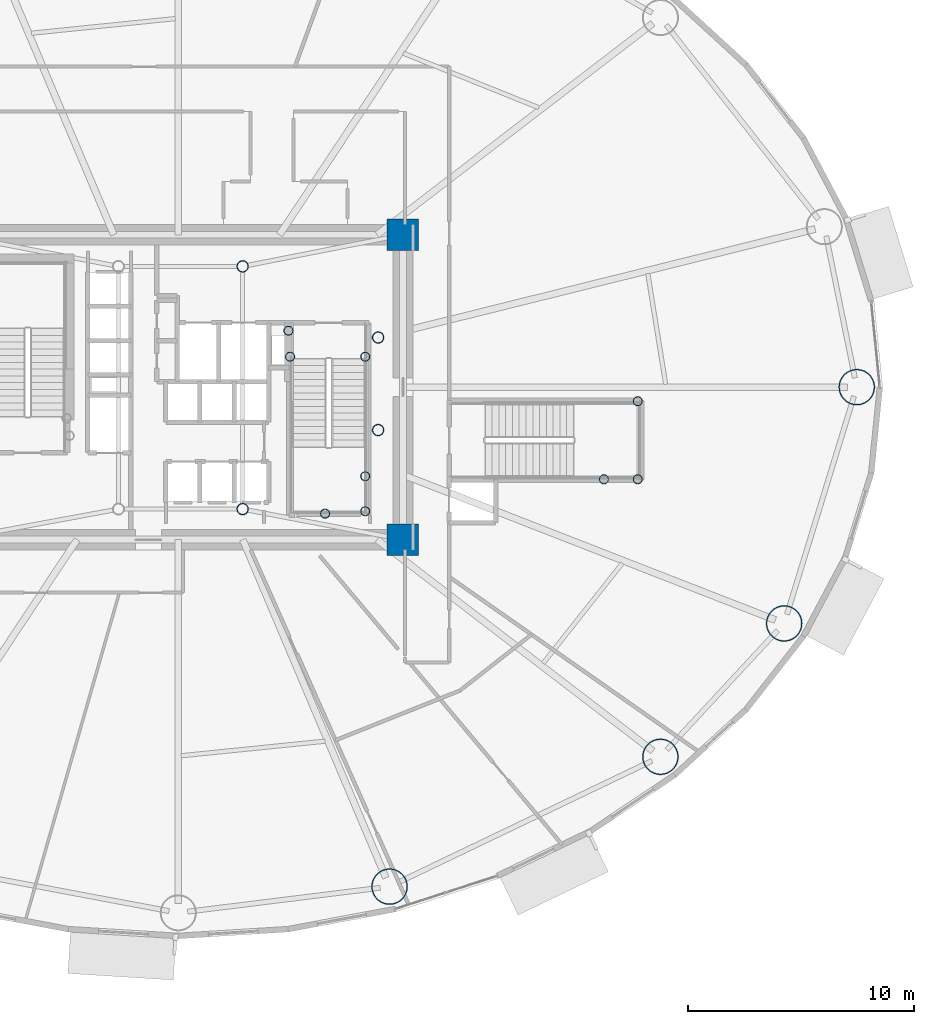
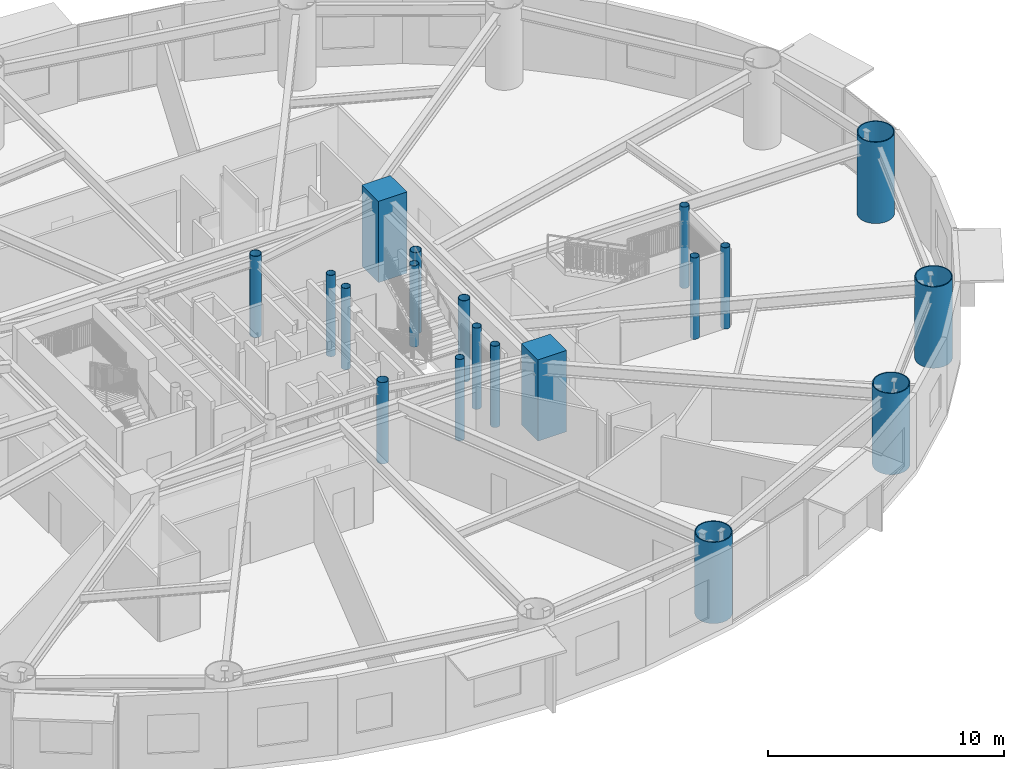
# One storey, part 2 of 28: 19 columns.
"""IFC4 building model written with IfcOpenShell, lengths in metres."""

from ifc_helpers import new_model, si_unit, direction, frame, origin, origin_2d, place, context, subcontext, project, spatial, rectangle, hollow_circle, extrude, material, material_profile, profile_set, type_object, element, save


model = new_model("IFC4")

# Units and contexts
model_context = context("Model", 3, precision=1e-05, world=origin(), true_north=direction((0.0, 1.0)))
body_context = subcontext(model_context, "Body", "Model", "MODEL_VIEW")
ifc_project = project(units=[si_unit("LENGTHUNIT", "METRE"), si_unit("AREAUNIT", "SQUARE_METRE"), si_unit("VOLUMEUNIT", "CUBIC_METRE"), si_unit("PLANEANGLEUNIT", "RADIAN"), si_unit("MASSUNIT", "GRAM", prefix="KILO")], contexts=[model_context])

# Site, building, storey
site_placement = place(None, origin())
site = spatial("IfcSite", under=ifc_project, at=site_placement, CompositionType="ELEMENT")
building_placement = place(site_placement, origin())
building = spatial("IfcBuilding", under=site, at=building_placement, Name="Linh Dai School and Residence Tower", CompositionType="ELEMENT")
storey_placement = place(building_placement, frame((0.0, 0.0, 36.60009765625)))
storey = spatial("IfcBuildingStorey", under=building, at=storey_placement, Name="L08", CompositionType="ELEMENT", Elevation=36.60009765625)

# Columns
ifc_material_1 = material(Name="Concrete B60 (C50/60)", Category="concrete")
ifc_material_profile_1 = material_profile(ifc_material_1, rectangle(XDim=1.39990234375, YDim=1.39990234375, at=origin_2d()), Name="RC 1400x1400")
ifc_profile_set_1 = profile_set([ifc_material_profile_1], Name="Concrete B60 (C50/60)")
column_type_1 = type_object("IfcColumnType", Name="COL-CC1", PredefinedType="COLUMN", material=ifc_profile_set_1)
for number, where, z_axis, x_axis, name in (
    (1, (45.949951171875, 20.25, 0.0), (0.0, 0.0, 1.0), (1.0, 0.0, 0.0), "L08 Core Corner Pier CC2"),
    (2, (45.949951171875, 33.75, 0.0), (0.0, 0.0, 1.0), (1.0, 0.0, 0.0), "L08 Core Corner Pier CC3"),
):
    element("IfcColumn", number, at=place(storey_placement, frame(where, z_axis=z_axis, x_axis=x_axis)), inside=storey, type_object=column_type_1, Name=name, PredefinedType="COLUMN", context=body_context, shape_type="SweptSolid", body=[
        extrude(rectangle(XDim=1.39990234375, YDim=1.39990234375, at=origin_2d()), origin(), (0.0, 0.0, 1.0), 4.199951171875),
    ])
ifc_material_2 = material(Name="Structural Steel S355JR", Category="steel")
ifc_material_profile_2 = material_profile(ifc_material_2, hollow_circle(Radius=0.203125, WallThickness=0.01611328125, at=origin_2d()), Name="CHS 406.4x16")
ifc_profile_set_2 = profile_set([ifc_material_profile_2], Name="Structural Steel S355JR")
column_type_2 = type_object("IfcColumnType", Name="COL-EC", PredefinedType="COLUMN", material=ifc_profile_set_2)
for number, where, z_axis, x_axis, name in (
    (3, (44.280029296875, 21.5, 0.0), (0.0, 0.0, 1.0), (1.0, 0.0, 0.0), "L08 Stair Shaft Landing Support Pier ST2SE"),
    (4, (44.280029296875, 23.050048828125, 0.0), (0.0, 0.0, 1.0), (1.0, 0.0, 0.0), "L08 Stair Shaft Landing Support Pier ST2NE"),
    (5, (42.5, 21.39990234375, 0.0), (0.0, 0.0, 1.0), (1.0, 0.0, 0.0), "L08 Stair Shaft Landing Support Pier ST2MS"),
    (6, (40.949951171875, 28.35009765625, 0.0), (0.0, 0.0, 1.0), (1.0, 0.0, 0.0), "L08 Stair Shaft Landing Support Pier ST2N1"),
    (7, (44.280029296875, 28.35009765625, 0.0), (0.0, 0.0, 1.0), (1.0, 0.0, 0.0), "L08 Stair Shaft Landing Support Pier ST2N2"),
    (8, (40.8798828125, 29.5, 0.0), (0.0, 0.0, 1.0), (1.0, 0.0, 0.0), "L08 Stair Shaft Landing Support Pier ST2N3"),
    (9, (56.35009765625, 26.3798828125, 0.0), (0.0, 0.0, 1.0), (1.0, 0.0, 0.0), "L08 Stair Shaft Landing Support Pier STS2NE"),
    (10, (56.35009765625, 22.919921875, 0.0), (0.0, 0.0, 1.0), (1.0, 0.0, 0.0), "L08 Stair Shaft Landing Support Pier STS2SE"),
    (11, (54.85009765625, 22.919921875, 0.0), (0.0, 0.0, 1.0), (1.0, 0.0, 0.0), "L08 Stair Shaft Landing Support Pier STS2MW"),
):
    element("IfcColumn", number, at=place(storey_placement, frame(where, z_axis=z_axis, x_axis=x_axis)), inside=storey, type_object=column_type_2, Name=name, PredefinedType="COLUMN", context=body_context, shape_type="SweptSolid", body=[
        extrude(hollow_circle(Radius=0.203125, WallThickness=0.01611328125, at=origin_2d()), origin(), (0.0, 0.0, 1.0), 4.199951171875),
    ])
ifc_material_profile_3 = material_profile(ifc_material_2, hollow_circle(Radius=0.800048828125, WallThickness=0.044921875, at=origin_2d()), Name="CHS 1600x45")
ifc_profile_set_3 = profile_set([ifc_material_profile_3], Name="Structural Steel S355JR")
column_type_3 = type_object("IfcColumnType", Name="COL-MC2", PredefinedType="COLUMN", material=ifc_profile_set_3)
for number, where, z_axis, x_axis, name in (
    (12, (66.050048828125, 27.0, 0.0), (0.0, 0.0, 1.0), (1.0, 0.0, 0.0), "L08 Perimeter CFT Mega-Column MC01"),
    (13, (45.357666015625, 4.880126953125, 0.0), (0.0, 0.0, 1.0), (1.0, 0.0, 0.0), "L08 Perimeter CFT Mega-Column MC14"),
    (14, (57.352783203125, 10.630859375, 0.0), (0.0, 0.0, 1.0), (1.0, 0.0, 0.0), "L08 Perimeter CFT Mega-Column MC15"),
    (15, (62.83544921875, 16.5361328125, 0.0), (0.0, 0.0, 1.0), (1.0, 0.0, 0.0), "L08 Perimeter CFT Mega-Column MC16"),
):
    element("IfcColumn", number, at=place(storey_placement, frame(where, z_axis=z_axis, x_axis=x_axis)), inside=storey, type_object=column_type_3, Name=name, PredefinedType="COLUMN", context=body_context, shape_type="SweptSolid", body=[
        extrude(hollow_circle(Radius=0.800048828125, WallThickness=0.044921875, at=origin_2d()), origin(), (0.0, 0.0, 1.0), 4.199951171875),
    ])
ifc_material_profile_4 = material_profile(ifc_material_2, hollow_circle(Radius=0.25390625, WallThickness=0.02001953125, at=origin_2d()), Name="CHS 508x20")
ifc_profile_set_4 = profile_set([ifc_material_profile_4], Name="Structural Steel S355JR")
column_type_4 = type_object("IfcColumnType", Name="COL-MCP", PredefinedType="COLUMN", material=ifc_profile_set_4)
for number, where, z_axis, x_axis, name in (
    (16, (38.85009765625, 21.60009765625, 0.0), (0.0, 0.0, 1.0), (1.0, 0.0, 0.0), "L08 Core Mast Support Pier MCP2"),
    (17, (38.85009765625, 32.35009765625, 0.0), (0.0, 0.0, 1.0), (1.0, 0.0, 0.0), "L08 Core Mast Support Pier MCP3"),
    (18, (44.85009765625, 25.10009765625, 0.0), (0.0, 0.0, 1.0), (1.0, 0.0, 0.0), "L08 Sky-Lounge Core Anchor Pier S"),
    (19, (44.85009765625, 29.199951171875, 0.0), (0.0, 0.0, 1.0), (1.0, 0.0, 0.0), "L08 Sky-Lounge Core Anchor Pier N"),
):
    element("IfcColumn", number, at=place(storey_placement, frame(where, z_axis=z_axis, x_axis=x_axis)), inside=storey, type_object=column_type_4, Name=name, PredefinedType="COLUMN", context=body_context, shape_type="SweptSolid", body=[
        extrude(hollow_circle(Radius=0.25390625, WallThickness=0.02001953125, at=origin_2d()), origin(), (0.0, 0.0, 1.0), 4.199951171875),
    ])

save(model, "model.ifc")
